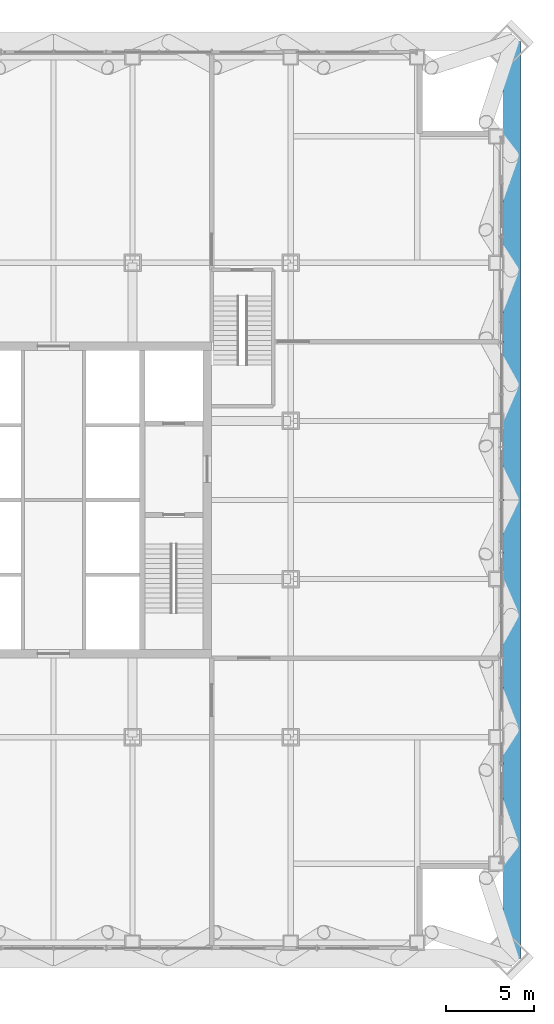
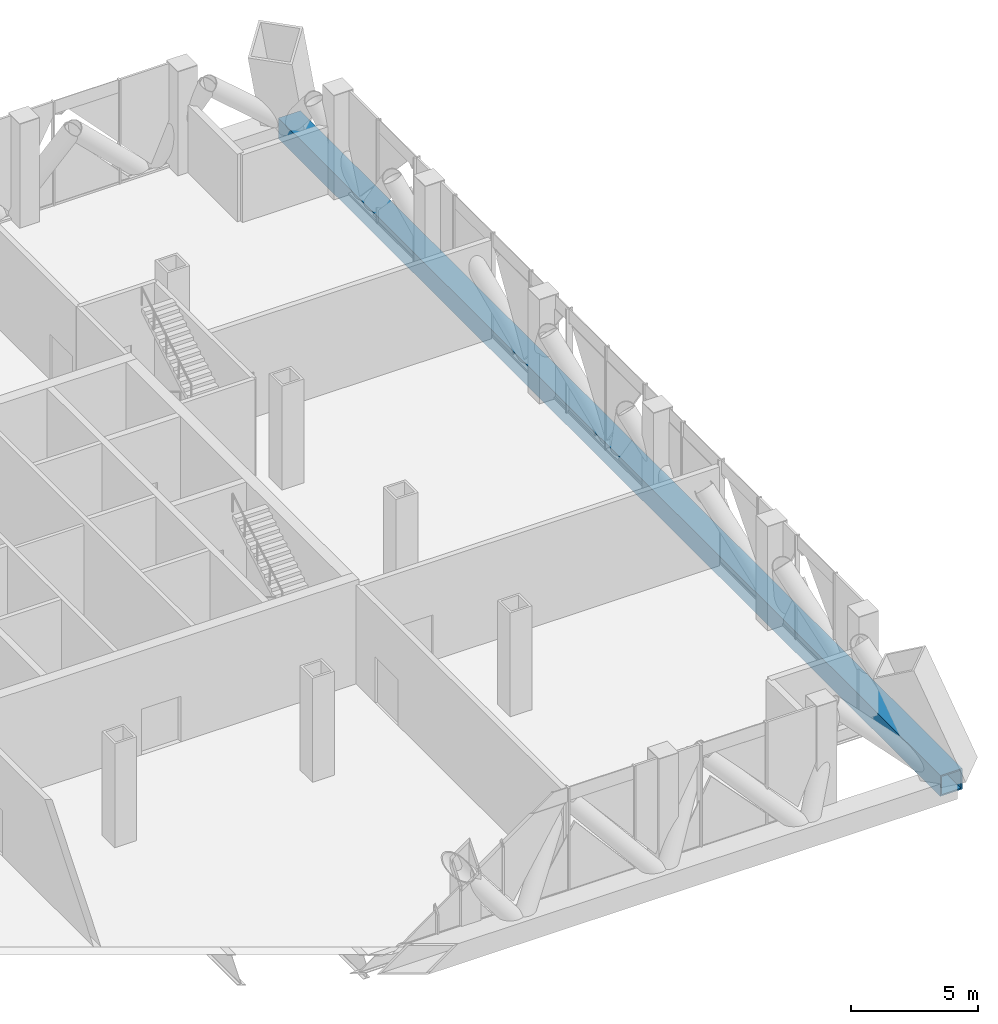
# One storey, part 8 of 26: 1 member.
"""IFC4 building model written with IfcOpenShell, lengths in metres."""

import ifcopenshell
import ifcopenshell.guid

model = None  # the IFC model being written
_history = None  # IfcOwnerHistory: only IFC2X3 demands one
_inside = {}  # id of a spatial element -> (the spatial element, [elements in it])
_under = {}  # id of a project, library or spatial element -> (it, [spatial elements below it])
_declared = {}  # id of a project -> (the project, [libraries it declares])
_typed = {}  # id of a type object -> (the type object, [elements of that type])
_made_of = {}  # id of a material, layer set ... -> (it, [elements and type objects made of it])


def new_model(schema):
    """Start an empty IFC model of exactly this schema.

    Asked for "IFC4X3", IfcOpenShell would pick the latest addendum, in which some entities
    have other attributes; the version numbers below select the first issue.
    IFC2X3 requires an IfcOwnerHistory on every rooted entity: one is made here for all.
    """
    global model, _history
    if schema == "IFC4X3":
        model = ifcopenshell.file(schema_version=(4, 3, 0, 0))
    else:
        model = ifcopenshell.file(schema=schema)
    _inside.clear()
    _under.clear()
    _declared.clear()
    _typed.clear()
    _made_of.clear()
    _history = None
    if model.schema == "IFC2X3":
        org = make("IfcOrganization", Name="unknown")
        user = make(
            "IfcPersonAndOrganization",
            ThePerson=make("IfcPerson", FamilyName="unknown"),
            TheOrganization=org,
        )
        app = make(
            "IfcApplication",
            ApplicationDeveloper=org,
            Version="unknown",
            ApplicationFullName="unknown",
            ApplicationIdentifier="unknown",
        )
        _history = make(
            "IfcOwnerHistory",
            OwningUser=user,
            OwningApplication=app,
            ChangeAction="ADDED",
            CreationDate=0,
        )
    return model


def make(cls, **values):
    """One entity of the class cls with the attributes given. An attribute that is None is left unset."""
    return model.create_entity(
        cls, **{name: value for name, value in values.items() if value is not None}
    )


def rooted(cls, **values):
    """An entity with a GlobalId (a new one), such as an element, a storey or a relation."""
    return make(cls, GlobalId=ifcopenshell.guid.new(), OwnerHistory=_history, **values)


def si_unit(unit_type, name, prefix=None):
    """IfcSIUnit, for example si_unit("LENGTHUNIT", "METRE", prefix="MILLI")."""
    return make("IfcSIUnit", UnitType=unit_type, Prefix=prefix, Name=name)


def assignment(units):
    """IfcUnitAssignment: the units of a project."""
    return None if units is None else make("IfcUnitAssignment", Units=units)


def point(xyz):
    """IfcCartesianPoint."""
    return None if xyz is None else make("IfcCartesianPoint", Coordinates=xyz)


def direction(xyz):
    """IfcDirection."""
    return None if xyz is None else make("IfcDirection", DirectionRatios=xyz)


def frame(location, z_axis=None, x_axis=None):
    """IfcAxis2Placement3D, a coordinate frame: its origin and axes. An axis left out is left unset."""
    return make(
        "IfcAxis2Placement3D",
        Location=point(location),
        Axis=direction(z_axis),
        RefDirection=direction(x_axis),
    )


def frame_2d(location, x_axis=None):
    """IfcAxis2Placement2D, a coordinate frame in the plane: its origin and x axis."""
    return make(
        "IfcAxis2Placement2D", Location=point(location), RefDirection=direction(x_axis)
    )


def origin():
    """The frame at (0, 0, 0) with its axes left unset."""
    return frame((0.0, 0.0, 0.0))


def origin_2d():
    """The frame at (0, 0) in the plane with its x axis left unset."""
    return frame_2d((0.0, 0.0))


def place(relative_to, where):
    """IfcLocalPlacement: puts the frame where relative to a parent placement (None: the world)."""
    return make(
        "IfcLocalPlacement", PlacementRelTo=relative_to, RelativePlacement=where
    )


def context(
    kind, dimensions, precision=None, world=None, true_north=None, identifier=None
):
    """IfcGeometricRepresentationContext, for example the 3D "Model" context."""
    return make(
        "IfcGeometricRepresentationContext",
        ContextIdentifier=identifier,
        ContextType=kind,
        CoordinateSpaceDimension=dimensions,
        Precision=precision,
        WorldCoordinateSystem=world,
        TrueNorth=true_north,
    )


def subcontext(parent, identifier, kind, view, scale=None):
    """IfcGeometricRepresentationSubContext, for example "Body" below "Model"."""
    return make(
        "IfcGeometricRepresentationSubContext",
        ContextIdentifier=identifier,
        ContextType=kind,
        ParentContext=parent,
        TargetScale=scale,
        TargetView=view,
    )


def project(units=None, contexts=None):
    """IfcProject with its units and contexts."""
    return rooted(
        "IfcProject",
        Name="project",
        RepresentationContexts=contexts,
        UnitsInContext=assignment(units),
    )


def spatial(cls, under=None, at=None, **own):
    """A site, building, storey or space (cls), placed at a placement, below another one or the project."""
    s = rooted(cls, ObjectPlacement=at, **own)
    if under is not None:
        _under.setdefault(under.id(), (under, []))[1].append(s)
    return s


def profile(cls, at=None, kind="AREA", **sizes):
    """A parametric profile (cls). Its sizes go by their IFC names, for example OverallWidth=200.0."""
    return make(cls, ProfileType=kind, Position=at, **sizes)


def hollow_rectangle(**sizes):
    """IfcRectangleHollowProfileDef."""
    return profile("IfcRectangleHollowProfileDef", **sizes)


def extrude(swept, where, along, depth):
    """IfcExtrudedAreaSolid: the profile swept, set in the frame where, extruded along a direction by depth."""
    return make(
        "IfcExtrudedAreaSolid",
        SweptArea=swept,
        Position=where,
        ExtrudedDirection=direction(along),
        Depth=depth,
    )


def shape(context_of_items, identifier, shape_type, items):
    """IfcShapeRepresentation: the items that make up one representation, for example the "Body"."""
    return make(
        "IfcShapeRepresentation",
        ContextOfItems=context_of_items,
        RepresentationIdentifier=identifier,
        RepresentationType=shape_type,
        Items=items,
    )


def material(Name=None, Category=None):
    """IfcMaterial."""
    return make("IfcMaterial", Name=Name, Category=Category)


def material_profile(
    of_material, cross_section, Name=None, Category=None, Priority=None
):
    """IfcMaterialProfile: a cross section and its material."""
    return make(
        "IfcMaterialProfile",
        Name=Name,
        Material=of_material,
        Profile=cross_section,
        Priority=Priority,
        Category=Category,
    )


def profile_set(profiles, Name=None, composite=None):
    """IfcMaterialProfileSet."""
    return make(
        "IfcMaterialProfileSet",
        Name=Name,
        MaterialProfiles=profiles,
        CompositeProfile=composite,
    )


def made_of(thing, what):
    """Note that an element or type object is made of a material, layer set ...; save() writes the relation."""
    if what is not None:
        _made_of.setdefault(what.id(), (what, []))[1].append(thing)
    return thing


def type_object(cls, material=None, **own):
    """A type object (cls), such as IfcWallType, which elements share."""
    return made_of(rooted(cls, **own), material)


def element(
    cls,
    number,
    at=None,
    inside=None,
    cuts=None,
    type_object=None,
    material=None,
    context=None,
    identifier="Body",
    shape_type=None,
    held_by="IfcProductDefinitionShape",
    body=None,
    shapes=None,
    **own,
):
    """One element of the class cls, such as IfcWall. Its Tag is "e" and its number.

    at: its placement. inside: the storey or other place that contains it. cuts: it is an
    opening in that element (IfcRelVoidsElement). A single representation is given by context,
    identifier, shape_type and body (its items); several are given by shapes. held_by: the class
    of the entity that holds the representations. save() writes the other relations.
    """
    e = rooted(cls, Tag="e%d" % number, ObjectPlacement=at, **own)
    if body is not None:
        shapes = [shape(context, identifier, shape_type, body)]
    if shapes is not None:
        e.Representation = make(held_by, Representations=shapes)
    if inside is not None:
        _inside.setdefault(inside.id(), (inside, []))[1].append(e)
    if cuts is not None:
        rooted(
            "IfcRelVoidsElement", RelatingBuildingElement=cuts, RelatedOpeningElement=e
        )
    if type_object is not None:
        _typed.setdefault(type_object.id(), (type_object, []))[1].append(e)
    return made_of(e, material)


def aggregate(whole, parts):
    """IfcRelAggregates: a whole, such as a stair, and the parts it consists of."""
    return rooted("IfcRelAggregates", RelatingObject=whole, RelatedObjects=parts)


def save(model, path):
    """Write the relations noted so far, then the file.

    IfcRelAggregates (storeys below a building ...), IfcRelContainedInSpatialStructure (elements
    in a storey), IfcRelDefinesByType, IfcRelAssociatesMaterial and IfcRelDeclares: one each for
    every whole, place, type object, material and project.
    """
    for whole, parts in _under.values():
        aggregate(whole, parts)
    for where, things in _inside.values():
        rooted(
            "IfcRelContainedInSpatialStructure",
            RelatedElements=things,
            RelatingStructure=where,
        )
    for kind, things in _typed.values():
        rooted("IfcRelDefinesByType", RelatedObjects=things, RelatingType=kind)
    for what, things in _made_of.values():
        rooted("IfcRelAssociatesMaterial", RelatedObjects=things, RelatingMaterial=what)
    for by, libraries in _declared.values():
        rooted("IfcRelDeclares", RelatingContext=by, RelatedDefinitions=libraries)
    model.write(path)


model = new_model("IFC4")

# Units and contexts
model_context = context("Model", 3, precision=1e-05, world=origin(), true_north=direction((0.0, 1.0)))
body_context = subcontext(model_context, "Body", "Model", "MODEL_VIEW")
ifc_project = project(units=[si_unit("LENGTHUNIT", "METRE"), si_unit("AREAUNIT", "SQUARE_METRE"), si_unit("VOLUMEUNIT", "CUBIC_METRE"), si_unit("PLANEANGLEUNIT", "RADIAN"), si_unit("MASSUNIT", "GRAM", prefix="KILO")], contexts=[model_context])

# Site, building, storey
site_placement = place(None, origin())
site = spatial("IfcSite", under=ifc_project, at=site_placement, CompositionType="ELEMENT")
building_placement = place(site_placement, origin())
building = spatial("IfcBuilding", under=site, at=building_placement, Name="Malebo Sky Hospital", CompositionType="ELEMENT")
storey_placement = place(building_placement, frame((0.0, 0.0, 95.0)))
storey = spatial("IfcBuildingStorey", under=building, at=storey_placement, Name="L22", CompositionType="ELEMENT", Elevation=95.0)

# Member
ifc_material = material(Name="Steel S460", Category="steel")
ifc_material_profile = material_profile(ifc_material, hollow_rectangle(XDim=1.0, YDim=1.0, WallThickness=0.06005859375, at=origin_2d()), Name="BOX 1000x1000x60")
ifc_profile_set = profile_set([ifc_material_profile], Name="Steel S460")
member_type = type_object("IfcMemberType", Name="MEGA TIE BOX 1000x1000x60", PredefinedType="CHORD", material=ifc_profile_set)
member_placement = place(storey_placement, frame((86.10009765625, 35.89990234375, -0.39990234375), z_axis=(0.0, 1.0, 0.0), x_axis=(-1.0, 0.0, 0.0)))
element("IfcMember", 1, at=member_placement, inside=storey, type_object=member_type, Name="Mega tie AE L22", PredefinedType="CHORD", context=body_context, shape_type="SweptSolid", body=[
    extrude(hollow_rectangle(XDim=1.0, YDim=1.0, WallThickness=0.06005859375, at=origin_2d()), origin(), (0.0, 0.0, 1.0), 52.2001953125),
])

save(model, "model.ifc")
